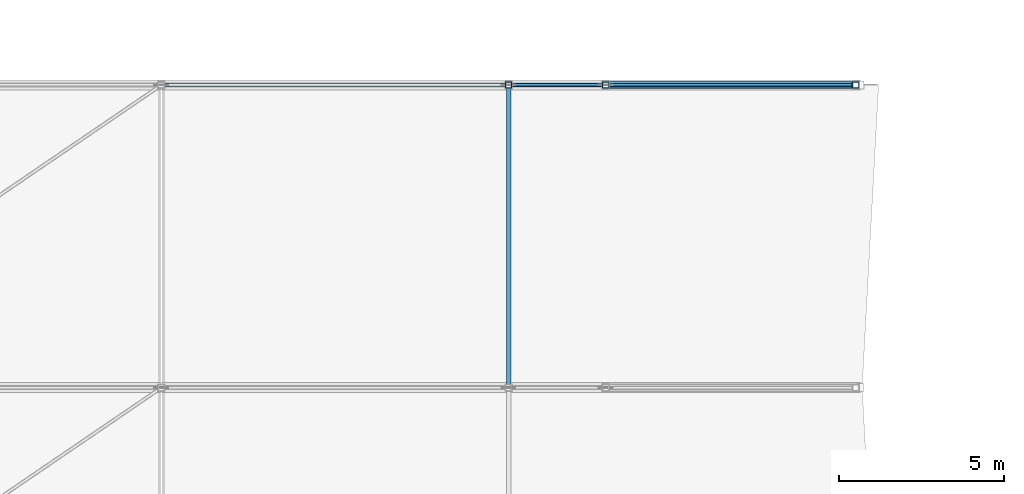
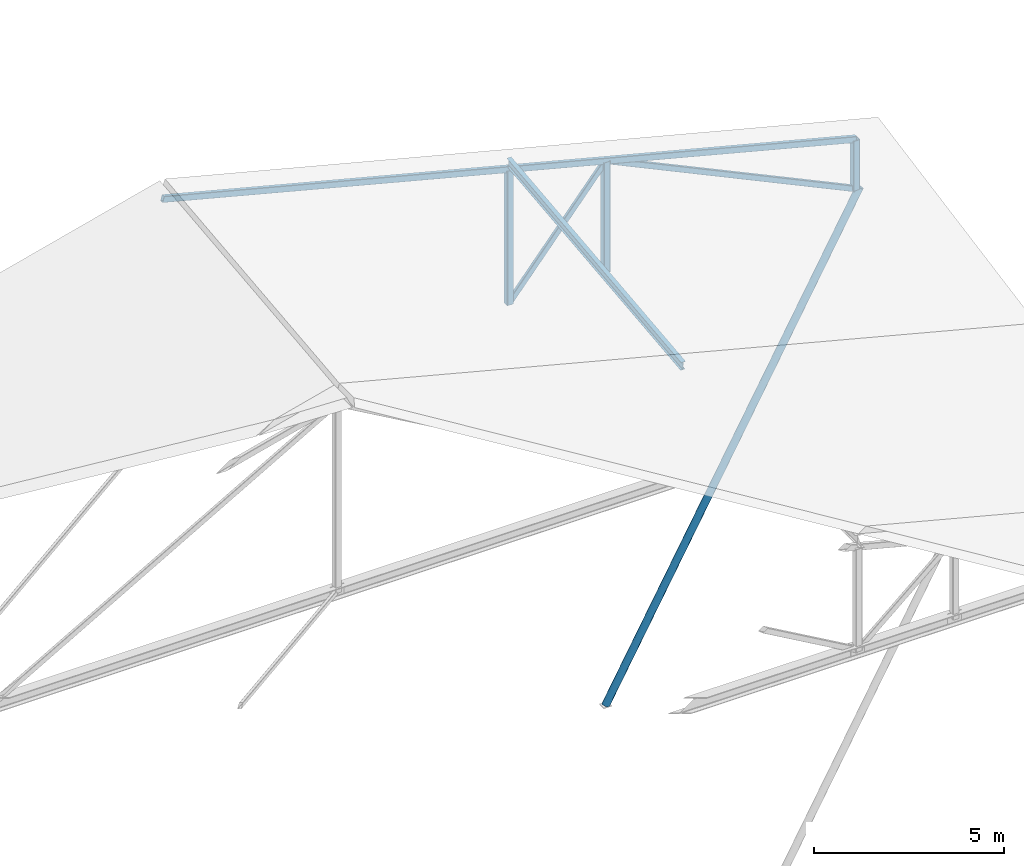
# One storey, part 24 of 56: 8 members.
"""IFC4 building model written with IfcOpenShell, lengths in metres."""

from ifc_helpers import new_model, si_unit, direction, frame, origin, origin_2d, place, context, subcontext, project, spatial, hollow_rectangle, hollow_circle, i_section, extrude, material, material_profile, profile_set, type_object, element, save


model = new_model("IFC4")

# Units and contexts
model_context = context("Model", 3, precision=1e-05, world=origin(), true_north=direction((0.0, 1.0)))
body_context = subcontext(model_context, "Body", "Model", "MODEL_VIEW")
ifc_project = project(units=[si_unit("LENGTHUNIT", "METRE"), si_unit("AREAUNIT", "SQUARE_METRE"), si_unit("VOLUMEUNIT", "CUBIC_METRE"), si_unit("PLANEANGLEUNIT", "RADIAN"), si_unit("MASSUNIT", "GRAM", prefix="KILO")], contexts=[model_context])

# Site, building, storey
site_placement = place(None, origin())
site = spatial("IfcSite", under=ifc_project, at=site_placement, CompositionType="ELEMENT")
building_placement = place(site_placement, origin())
building = spatial("IfcBuilding", under=site, at=building_placement, Name="Bozkorgan Art Gallery", CompositionType="ELEMENT")
storey_placement = place(building_placement, frame((0.0, 0.0, 24.0)))
storey = spatial("IfcBuildingStorey", under=building, at=storey_placement, Name="L05", CompositionType="ELEMENT", Elevation=24.0)

# Members
ifc_material = material(Name="Steel S355J2", Category="steel")
ifc_material_profile_1 = material_profile(ifc_material, hollow_circle(Radius=0.109619140625, WallThickness=0.010009765625, at=origin_2d()), Name="CHS 219.1x10")
ifc_profile_set_1 = profile_set([ifc_material_profile_1], Name="Steel S355J2")
member_type_1 = type_object("IfcMemberType", Name="MEMBER-ES-44", PredefinedType="BRACE", material=ifc_profile_set_1)
member_1_placement = place(storey_placement, frame((101.0, 84.39990234375, -13.800048828125), z_axis=(0.484367254786, 0.0, 0.874864768116), x_axis=(0.0, 1.0, 0.0)))
element("IfcMember", 1, at=member_1_placement, inside=storey, type_object=member_type_1, Name="ROOF-V4-MAIN east swept-eave diagonal tree-strut 5", PredefinedType="BRACE", context=body_context, shape_type="SweptSolid", body=[
    extrude(hollow_circle(Radius=0.109619140625, WallThickness=0.010009765625, at=origin_2d()), origin(), (0.0, 0.0, 1.0), 15.9794921875),
])
ifc_material_profile_2 = material_profile(ifc_material, i_section(OverallWidth=0.135009765625, OverallDepth=0.27001953125, WebThickness=0.006591796875, FlangeThickness=0.01025390625, FilletRadius=0.014892578125, at=origin_2d()), Name="IPE 270")
ifc_profile_set_2 = profile_set([ifc_material_profile_2], Name="Steel S355J2")
member_type_2 = type_object("IfcMemberType", Name="MEMBER-PR-57", PredefinedType="PURLIN", material=ifc_profile_set_2)
member_2_placement = place(storey_placement, frame((98.050048828125, 75.199951171875, 3.736083984375), z_axis=(0.0, 0.994056223168, 0.108867925404), x_axis=(-1.0, 0.0, 0.0)))
element("IfcMember", 2, at=member_2_placement, inside=storey, type_object=member_type_2, Name="ROOF-V4-MAIN roof purlin 4E", PredefinedType="PURLIN", context=body_context, shape_type="SweptSolid", body=[
    extrude(i_section(OverallWidth=0.135009765625, OverallDepth=0.27001953125, WebThickness=0.006591796875, FlangeThickness=0.01025390625, FilletRadius=0.014892578125, at=origin_2d()), origin(), (0.0, 0.0, 1.0), 9.2548828125),
])
ifc_material_profile_3 = material_profile(ifc_material, hollow_rectangle(XDim=0.1201171875, YDim=0.199951171875, WallThickness=0.008056640625, InnerFilletRadius=0.011962890625, OuterFilletRadius=0.02001953125, at=origin_2d()), Name="RHS 200x120x8")
ifc_profile_set_3 = profile_set([ifc_material_profile_3], Name="Steel S355J2")
member_type_3 = type_object("IfcMemberType", Name="MEMBER-TC-48", PredefinedType="CHORD", material=ifc_profile_set_3)
member_3_placement = place(storey_placement, frame((87.5, 84.39990234375, 7.237060546875), z_axis=(0.968148409779, 0.0, -0.250377028984), x_axis=(0.0, 1.0, 0.0)))
element("IfcMember", 3, at=member_3_placement, inside=storey, type_object=member_type_3, Name="ROOF-V4-MAIN roof truss 5 east top chord", PredefinedType="CHORD", context=body_context, shape_type="SweptSolid", body=[
    extrude(hollow_rectangle(XDim=0.1201171875, YDim=0.199951171875, WallThickness=0.008056640625, InnerFilletRadius=0.011962890625, OuterFilletRadius=0.02001953125, at=origin_2d()), origin(), (0.0, 0.0, 1.0), 21.794189453125),
])
ifc_material_profile_4 = material_profile(ifc_material, hollow_rectangle(XDim=0.199951171875, YDim=0.199951171875, WallThickness=0.010009765625, InnerFilletRadius=0.014892578125, OuterFilletRadius=0.02490234375, at=origin_2d()), Name="SHS 200x200x10")
ifc_profile_set_4 = profile_set([ifc_material_profile_4], Name="Steel S355J2")
member_type_4 = type_object("IfcMemberType", Name="MEMBER-TP-32", PredefinedType="POST", material=ifc_profile_set_4)
member_4_placement = place(storey_placement, frame((98.050048828125, 84.39990234375, 0.179931640625), z_axis=(0.0, 0.0, 1.0), x_axis=(1.0, 0.0, 0.0)))
element("IfcMember", 4, at=member_4_placement, inside=storey, type_object=member_type_4, Name="ROOF-V4-MAIN roof truss 5 post 4", PredefinedType="POST", context=body_context, shape_type="SweptSolid", body=[
    extrude(hollow_rectangle(XDim=0.199951171875, YDim=0.199951171875, WallThickness=0.010009765625, InnerFilletRadius=0.014892578125, OuterFilletRadius=0.02490234375, at=origin_2d()), origin(), (0.0, 0.0, 1.0), 4.32861328125),
])
member_5_placement = place(storey_placement, frame((101.0, 84.39990234375, 0.179931640625), z_axis=(0.0, 0.0, 1.0), x_axis=(1.0, 0.0, 0.0)))
element("IfcMember", 5, at=member_5_placement, inside=storey, type_object=member_type_4, Name="ROOF-V4-MAIN roof truss 5 post 5", PredefinedType="POST", context=body_context, shape_type="SweptSolid", body=[
    extrude(hollow_rectangle(XDim=0.199951171875, YDim=0.199951171875, WallThickness=0.010009765625, InnerFilletRadius=0.014892578125, OuterFilletRadius=0.02490234375, at=origin_2d()), origin(), (0.0, 0.0, 1.0), 3.565673828125),
])
member_6_placement = place(storey_placement, frame((108.60009765625, 84.39990234375, 0.179931640625), z_axis=(0.0, 0.0, 1.0), x_axis=(1.0, 0.0, 0.0)))
element("IfcMember", 6, at=member_6_placement, inside=storey, type_object=member_type_4, Name="ROOF-V4-MAIN roof truss 5 post 6", PredefinedType="POST", context=body_context, shape_type="SweptSolid", body=[
    extrude(hollow_rectangle(XDim=0.199951171875, YDim=0.199951171875, WallThickness=0.010009765625, InnerFilletRadius=0.014892578125, OuterFilletRadius=0.02490234375, at=origin_2d()), origin(), (0.0, 0.0, 1.0), 1.600341796875),
])
ifc_material_profile_5 = material_profile(ifc_material, hollow_rectangle(XDim=0.10009765625, YDim=0.179931640625, WallThickness=0.008056640625, InnerFilletRadius=0.011962890625, OuterFilletRadius=0.02001953125, at=origin_2d()), Name="RHS 180x100x8")
ifc_profile_set_5 = profile_set([ifc_material_profile_5], Name="Steel S355J2")
member_type_5 = type_object("IfcMemberType", Name="MEMBER-TW-22", PredefinedType="BRACE", material=ifc_profile_set_5)
member_7_placement = place(storey_placement, frame((98.050048828125, 84.39990234375, 0.179931640625), z_axis=(0.637445701774, 0.0, 0.770495280511), x_axis=(0.0, 1.0, 0.0)))
element("IfcMember", 7, at=member_7_placement, inside=storey, type_object=member_type_5, Name="ROOF-V4-MAIN roof truss 5 diagonal 5", PredefinedType="BRACE", context=body_context, shape_type="SweptSolid", body=[
    extrude(hollow_rectangle(XDim=0.10009765625, YDim=0.179931640625, WallThickness=0.008056640625, InnerFilletRadius=0.011962890625, OuterFilletRadius=0.02001953125, at=origin_2d()), origin(), (0.0, 0.0, 1.0), 4.627685546875),
])
member_8_placement = place(storey_placement, frame((101.0, 84.39990234375, 3.74560546875), z_axis=(0.90531568753, 0.0, -0.424739338785), x_axis=(0.0, 1.0, 0.0)))
element("IfcMember", 8, at=member_8_placement, inside=storey, type_object=member_type_5, Name="ROOF-V4-MAIN roof truss 5 diagonal 6", PredefinedType="BRACE", context=body_context, shape_type="SweptSolid", body=[
    extrude(hollow_rectangle(XDim=0.10009765625, YDim=0.179931640625, WallThickness=0.008056640625, InnerFilletRadius=0.011962890625, OuterFilletRadius=0.02001953125, at=origin_2d()), origin(), (0.0, 0.0, 1.0), 8.39501953125),
])

save(model, "model.ifc")
